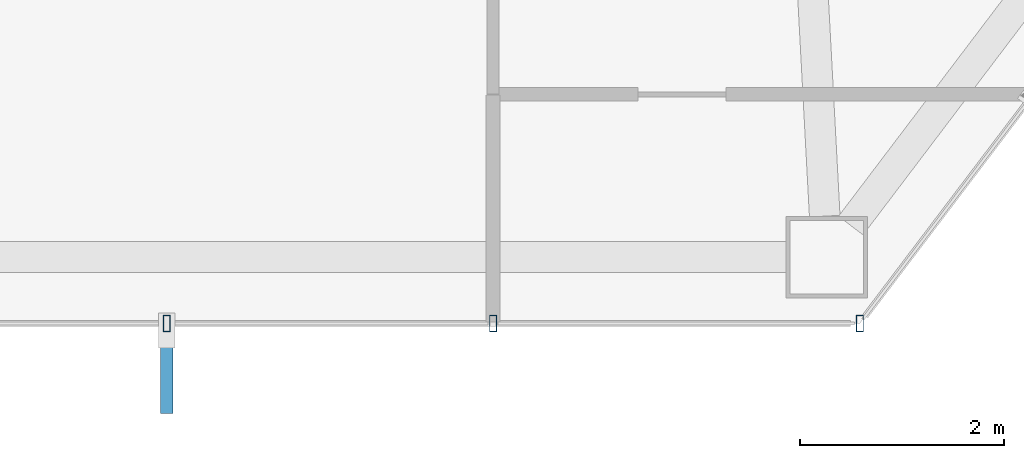
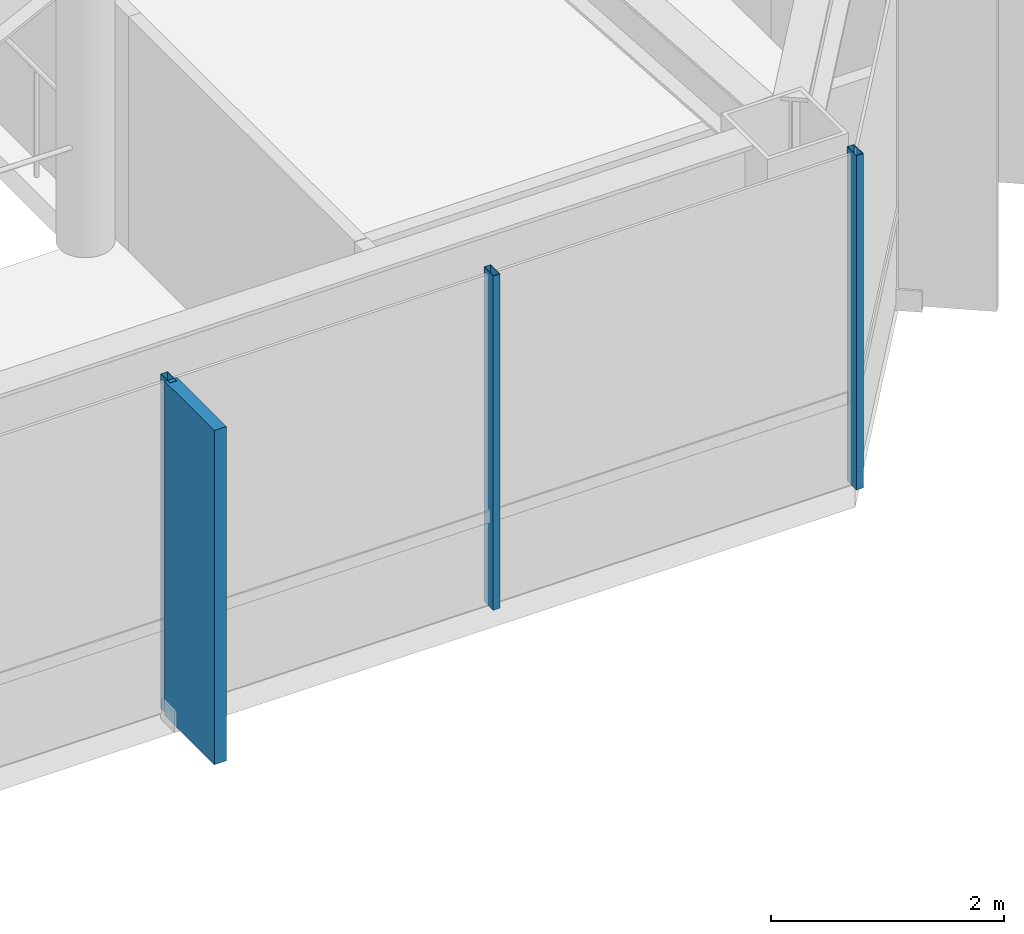
# One storey, part 8 of 29: 4 members, 1 element without a shape of its own.
"""IFC4 building model written with IfcOpenShell, lengths in metres."""

import ifcopenshell
import ifcopenshell.guid

model = None  # the IFC model being written
_history = None  # IfcOwnerHistory: only IFC2X3 demands one
_inside = {}  # id of a spatial element -> (the spatial element, [elements in it])
_under = {}  # id of a project, library or spatial element -> (it, [spatial elements below it])
_declared = {}  # id of a project -> (the project, [libraries it declares])
_typed = {}  # id of a type object -> (the type object, [elements of that type])
_made_of = {}  # id of a material, layer set ... -> (it, [elements and type objects made of it])


def new_model(schema):
    """Start an empty IFC model of exactly this schema.

    Asked for "IFC4X3", IfcOpenShell would pick the latest addendum, in which some entities
    have other attributes; the version numbers below select the first issue.
    IFC2X3 requires an IfcOwnerHistory on every rooted entity: one is made here for all.
    """
    global model, _history
    if schema == "IFC4X3":
        model = ifcopenshell.file(schema_version=(4, 3, 0, 0))
    else:
        model = ifcopenshell.file(schema=schema)
    _inside.clear()
    _under.clear()
    _declared.clear()
    _typed.clear()
    _made_of.clear()
    _history = None
    if model.schema == "IFC2X3":
        org = make("IfcOrganization", Name="unknown")
        user = make(
            "IfcPersonAndOrganization",
            ThePerson=make("IfcPerson", FamilyName="unknown"),
            TheOrganization=org,
        )
        app = make(
            "IfcApplication",
            ApplicationDeveloper=org,
            Version="unknown",
            ApplicationFullName="unknown",
            ApplicationIdentifier="unknown",
        )
        _history = make(
            "IfcOwnerHistory",
            OwningUser=user,
            OwningApplication=app,
            ChangeAction="ADDED",
            CreationDate=0,
        )
    return model


def make(cls, **values):
    """One entity of the class cls with the attributes given. An attribute that is None is left unset."""
    return model.create_entity(
        cls, **{name: value for name, value in values.items() if value is not None}
    )


def rooted(cls, **values):
    """An entity with a GlobalId (a new one), such as an element, a storey or a relation."""
    return make(cls, GlobalId=ifcopenshell.guid.new(), OwnerHistory=_history, **values)


def si_unit(unit_type, name, prefix=None):
    """IfcSIUnit, for example si_unit("LENGTHUNIT", "METRE", prefix="MILLI")."""
    return make("IfcSIUnit", UnitType=unit_type, Prefix=prefix, Name=name)


def assignment(units):
    """IfcUnitAssignment: the units of a project."""
    return None if units is None else make("IfcUnitAssignment", Units=units)


def point(xyz):
    """IfcCartesianPoint."""
    return None if xyz is None else make("IfcCartesianPoint", Coordinates=xyz)


def direction(xyz):
    """IfcDirection."""
    return None if xyz is None else make("IfcDirection", DirectionRatios=xyz)


def frame(location, z_axis=None, x_axis=None):
    """IfcAxis2Placement3D, a coordinate frame: its origin and axes. An axis left out is left unset."""
    return make(
        "IfcAxis2Placement3D",
        Location=point(location),
        Axis=direction(z_axis),
        RefDirection=direction(x_axis),
    )


def frame_2d(location, x_axis=None):
    """IfcAxis2Placement2D, a coordinate frame in the plane: its origin and x axis."""
    return make(
        "IfcAxis2Placement2D", Location=point(location), RefDirection=direction(x_axis)
    )


def origin():
    """The frame at (0, 0, 0) with its axes left unset."""
    return frame((0.0, 0.0, 0.0))


def origin_2d():
    """The frame at (0, 0) in the plane with its x axis left unset."""
    return frame_2d((0.0, 0.0))


def place(relative_to, where):
    """IfcLocalPlacement: puts the frame where relative to a parent placement (None: the world)."""
    return make(
        "IfcLocalPlacement", PlacementRelTo=relative_to, RelativePlacement=where
    )


def context(
    kind, dimensions, precision=None, world=None, true_north=None, identifier=None
):
    """IfcGeometricRepresentationContext, for example the 3D "Model" context."""
    return make(
        "IfcGeometricRepresentationContext",
        ContextIdentifier=identifier,
        ContextType=kind,
        CoordinateSpaceDimension=dimensions,
        Precision=precision,
        WorldCoordinateSystem=world,
        TrueNorth=true_north,
    )


def subcontext(parent, identifier, kind, view, scale=None):
    """IfcGeometricRepresentationSubContext, for example "Body" below "Model"."""
    return make(
        "IfcGeometricRepresentationSubContext",
        ContextIdentifier=identifier,
        ContextType=kind,
        ParentContext=parent,
        TargetScale=scale,
        TargetView=view,
    )


def project(units=None, contexts=None):
    """IfcProject with its units and contexts."""
    return rooted(
        "IfcProject",
        Name="project",
        RepresentationContexts=contexts,
        UnitsInContext=assignment(units),
    )


def spatial(cls, under=None, at=None, **own):
    """A site, building, storey or space (cls), placed at a placement, below another one or the project."""
    s = rooted(cls, ObjectPlacement=at, **own)
    if under is not None:
        _under.setdefault(under.id(), (under, []))[1].append(s)
    return s


def profile(cls, at=None, kind="AREA", **sizes):
    """A parametric profile (cls). Its sizes go by their IFC names, for example OverallWidth=200.0."""
    return make(cls, ProfileType=kind, Position=at, **sizes)


def rectangle(**sizes):
    """IfcRectangleProfileDef."""
    return profile("IfcRectangleProfileDef", **sizes)


def hollow_rectangle(**sizes):
    """IfcRectangleHollowProfileDef."""
    return profile("IfcRectangleHollowProfileDef", **sizes)


def extrude(swept, where, along, depth):
    """IfcExtrudedAreaSolid: the profile swept, set in the frame where, extruded along a direction by depth."""
    return make(
        "IfcExtrudedAreaSolid",
        SweptArea=swept,
        Position=where,
        ExtrudedDirection=direction(along),
        Depth=depth,
    )


def shape(context_of_items, identifier, shape_type, items):
    """IfcShapeRepresentation: the items that make up one representation, for example the "Body"."""
    return make(
        "IfcShapeRepresentation",
        ContextOfItems=context_of_items,
        RepresentationIdentifier=identifier,
        RepresentationType=shape_type,
        Items=items,
    )


def material(Name=None, Category=None):
    """IfcMaterial."""
    return make("IfcMaterial", Name=Name, Category=Category)


def layer(
    of_material, thickness, ventilated=None, Name=None, Category=None, Priority=None
):
    """IfcMaterialLayer: one layer of a wall or slab, of a material (None: an air gap)."""
    return make(
        "IfcMaterialLayer",
        Material=of_material,
        LayerThickness=thickness,
        IsVentilated=ventilated,
        Name=Name,
        Category=Category,
        Priority=Priority,
    )


def layer_set(layers, Name=None):
    """IfcMaterialLayerSet."""
    return make("IfcMaterialLayerSet", MaterialLayers=layers, LayerSetName=Name)


def material_profile(
    of_material, cross_section, Name=None, Category=None, Priority=None
):
    """IfcMaterialProfile: a cross section and its material."""
    return make(
        "IfcMaterialProfile",
        Name=Name,
        Material=of_material,
        Profile=cross_section,
        Priority=Priority,
        Category=Category,
    )


def profile_set(profiles, Name=None, composite=None):
    """IfcMaterialProfileSet."""
    return make(
        "IfcMaterialProfileSet",
        Name=Name,
        MaterialProfiles=profiles,
        CompositeProfile=composite,
    )


def made_of(thing, what):
    """Note that an element or type object is made of a material, layer set ...; save() writes the relation."""
    if what is not None:
        _made_of.setdefault(what.id(), (what, []))[1].append(thing)
    return thing


def type_object(cls, material=None, **own):
    """A type object (cls), such as IfcWallType, which elements share."""
    return made_of(rooted(cls, **own), material)


def element(
    cls,
    number,
    at=None,
    inside=None,
    cuts=None,
    type_object=None,
    material=None,
    context=None,
    identifier="Body",
    shape_type=None,
    held_by="IfcProductDefinitionShape",
    body=None,
    shapes=None,
    **own,
):
    """One element of the class cls, such as IfcWall. Its Tag is "e" and its number.

    at: its placement. inside: the storey or other place that contains it. cuts: it is an
    opening in that element (IfcRelVoidsElement). A single representation is given by context,
    identifier, shape_type and body (its items); several are given by shapes. held_by: the class
    of the entity that holds the representations. save() writes the other relations.
    """
    e = rooted(cls, Tag="e%d" % number, ObjectPlacement=at, **own)
    if body is not None:
        shapes = [shape(context, identifier, shape_type, body)]
    if shapes is not None:
        e.Representation = make(held_by, Representations=shapes)
    if inside is not None:
        _inside.setdefault(inside.id(), (inside, []))[1].append(e)
    if cuts is not None:
        rooted(
            "IfcRelVoidsElement", RelatingBuildingElement=cuts, RelatedOpeningElement=e
        )
    if type_object is not None:
        _typed.setdefault(type_object.id(), (type_object, []))[1].append(e)
    return made_of(e, material)


def aggregate(whole, parts):
    """IfcRelAggregates: a whole, such as a stair, and the parts it consists of."""
    return rooted("IfcRelAggregates", RelatingObject=whole, RelatedObjects=parts)


def save(model, path):
    """Write the relations noted so far, then the file.

    IfcRelAggregates (storeys below a building ...), IfcRelContainedInSpatialStructure (elements
    in a storey), IfcRelDefinesByType, IfcRelAssociatesMaterial and IfcRelDeclares: one each for
    every whole, place, type object, material and project.
    """
    for whole, parts in _under.values():
        aggregate(whole, parts)
    for where, things in _inside.values():
        rooted(
            "IfcRelContainedInSpatialStructure",
            RelatedElements=things,
            RelatingStructure=where,
        )
    for kind, things in _typed.values():
        rooted("IfcRelDefinesByType", RelatedObjects=things, RelatingType=kind)
    for what, things in _made_of.values():
        rooted("IfcRelAssociatesMaterial", RelatedObjects=things, RelatingMaterial=what)
    for by, libraries in _declared.values():
        rooted("IfcRelDeclares", RelatingContext=by, RelatedDefinitions=libraries)
    model.write(path)


model = new_model("IFC4")

# Units and contexts
model_context = context("Model", 3, precision=1e-05, world=origin(), true_north=direction((0.0, 1.0)))
body_context = subcontext(model_context, "Body", "Model", "MODEL_VIEW")
ifc_project = project(units=[si_unit("LENGTHUNIT", "METRE"), si_unit("AREAUNIT", "SQUARE_METRE"), si_unit("VOLUMEUNIT", "CUBIC_METRE"), si_unit("PLANEANGLEUNIT", "RADIAN"), si_unit("MASSUNIT", "GRAM", prefix="KILO")], contexts=[model_context])

# Site, building, storey
site_placement = place(None, origin())
site = spatial("IfcSite", under=ifc_project, at=site_placement, CompositionType="ELEMENT")
building_placement = place(site_placement, origin())
building = spatial("IfcBuilding", under=site, at=building_placement, Name="Zarrinselat Tower", CompositionType="ELEMENT")
storey_placement = place(building_placement, frame((0.0, 0.0, 138.3798828125)))
storey = spatial("IfcBuildingStorey", under=building, at=storey_placement, Name="L33", CompositionType="ELEMENT", Elevation=138.3798828125)

# Curtain wall, members
ifc_material_1 = material(Name="Extruded Aluminium Alloy EN AW-6063 T6", Category="aluminium")
ifc_layer = layer(ifc_material_1, 0.175048828125)
ifc_layer_set = layer_set([ifc_layer], Name="Extruded Aluminium Alloy EN AW-6063 T6")
curtain_wall_type = type_object("IfcCurtainWallType", Name="CWS-HTL", PredefinedType="NOTDEFINED", material=ifc_layer_set)
curtain_wall_placement = place(storey_placement, origin())
curtain_wall = element("IfcCurtainWall", 1, at=curtain_wall_placement, inside=storey, type_object=curtain_wall_type, Name="L33 Unitised Curtain Wall CW-L33-E04", PredefinedType="NOTDEFINED")
ifc_material_2 = material(Name="Extruded Aluminium Alloy EN AW-6063 T6", Category="aluminium")
ifc_material_profile_1 = material_profile(ifc_material_2, hollow_rectangle(XDim=0.070068359375, YDim=0.159912109375, WallThickness=0.00390625, at=origin_2d()), Name="RHS 160x70x4")
ifc_profile_set_1 = profile_set([ifc_material_profile_1], Name="Extruded Aluminium Alloy EN AW-6063 T6")
member_type_1 = type_object("IfcMemberType", Name="MEM-CW-MUL2", PredefinedType="MULLION", material=ifc_profile_set_1)
member_1_placement = place(storey_placement, frame((40.099365234375, 17.94580078125, 0.0), z_axis=(0.0, 0.0, 1.0), x_axis=(1.0, 0.0, 0.0)))
member_1 = element("IfcMember", 2, at=member_1_placement, type_object=member_type_1, Name="CW-L33-E04 Mullion 3", PredefinedType="MULLION", context=body_context, shape_type="SweptSolid", body=[
    extrude(hollow_rectangle(XDim=0.070068359375, YDim=0.159912109375, WallThickness=0.00390625, at=origin_2d()), origin(), (0.0, 0.0, 1.0), 3.5),
])
member_2_placement = place(storey_placement, frame((43.300048828125, 17.94580078125, 0.0), z_axis=(0.0, 0.0, 1.0), x_axis=(1.0, 0.0, 0.0)))
member_2 = element("IfcMember", 3, at=member_2_placement, type_object=member_type_1, Name="CW-L33-E04 Mullion 4", PredefinedType="MULLION", context=body_context, shape_type="SweptSolid", body=[
    extrude(hollow_rectangle(XDim=0.070068359375, YDim=0.159912109375, WallThickness=0.00390625, at=origin_2d()), origin(), (0.0, 0.0, 1.0), 3.5),
])
member_3_placement = place(storey_placement, frame((46.89697265625, 17.94580078125, 0.0), z_axis=(0.0, 0.0, 1.0), x_axis=(1.0, 0.0, 0.0)))
member_3 = element("IfcMember", 4, at=member_3_placement, type_object=member_type_1, Name="CW-L33-E04 Mullion 5", PredefinedType="MULLION", context=body_context, shape_type="SweptSolid", body=[
    extrude(hollow_rectangle(XDim=0.070068359375, YDim=0.159912109375, WallThickness=0.00390625, at=origin_2d()), origin(), (0.0, 0.0, 1.0), 3.5),
])
ifc_material_3 = material(Name="Honed Cream Travertine Stone", Category="masonry")
ifc_material_profile_2 = material_profile(ifc_material_3, rectangle(XDim=0.1201171875, YDim=0.85009765625, at=origin_2d()), Name="FIN 850x120")
ifc_profile_set_2 = profile_set([ifc_material_profile_2], Name="Honed Cream Travertine Stone")
member_type_2 = type_object("IfcMemberType", Name="MEM-STONE-FIN", PredefinedType="USERDEFINED", material=ifc_profile_set_2)
member_4_placement = place(storey_placement, frame((40.099365234375, 17.48583984375, 0.0), z_axis=(0.0, 0.0, 1.0), x_axis=(-1.0, 0.0, 0.0)))
member_4 = element("IfcMember", 5, at=member_4_placement, type_object=member_type_2, Name="L33 Stone Shading Fin CW-L33-E04-03", ObjectType="FIN", PredefinedType="USERDEFINED", context=body_context, shape_type="SweptSolid", body=[
    extrude(rectangle(XDim=0.1201171875, YDim=0.85009765625, at=origin_2d()), origin(), (0.0, 0.0, 1.0), 3.5),
])
aggregate(curtain_wall, [member_1, member_4, member_2, member_3])

save(model, "model.ifc")
